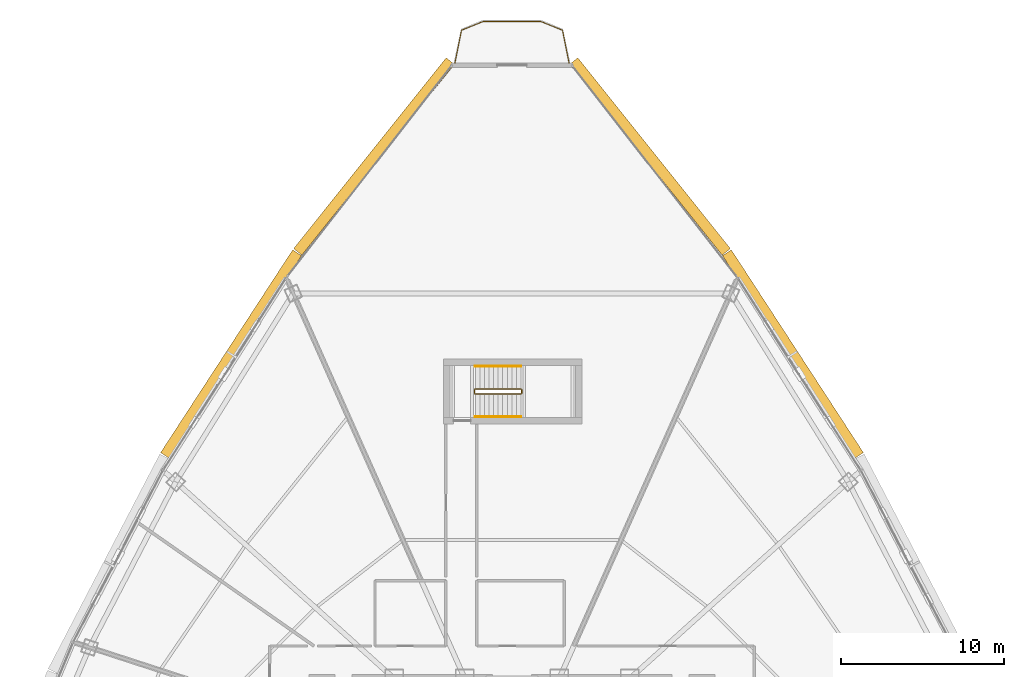
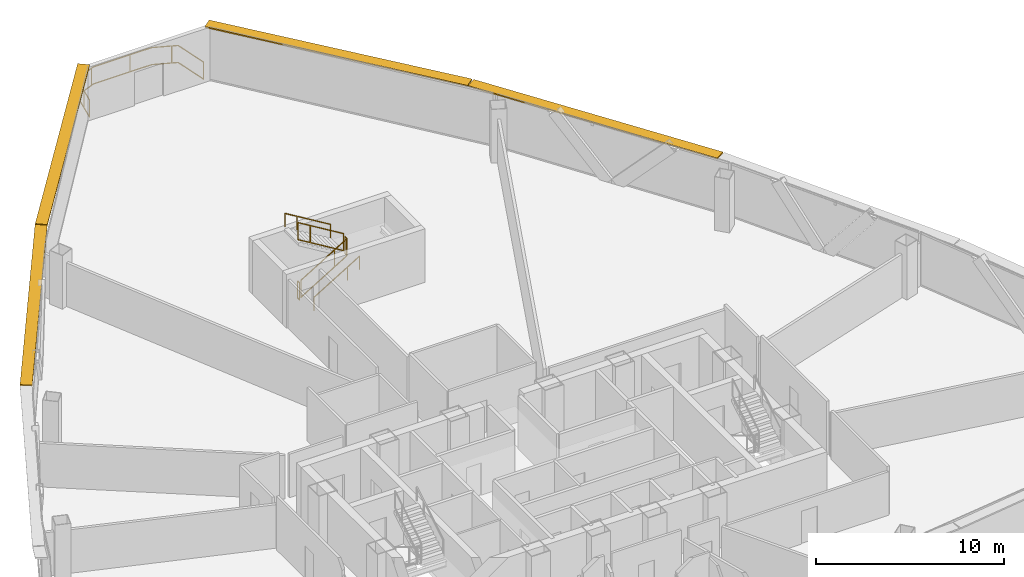
# One storey, part 35 of 36: 7 railings, 4 shading devices.
"""IFC4 building model written with IfcOpenShell, lengths in metres."""

from ifc_helpers import new_model, si_unit, direction, frame, origin, origin_2d, place, context, subcontext, project, spatial, rectangle, extrude, source, transform, mapped, material, layer, layer_set, type_object, element, save


model = new_model("IFC4")

# Units and contexts
model_context = context("Model", 3, precision=1e-05, world=origin(), true_north=direction((0.0, 1.0)))
body_context = subcontext(model_context, "Body", "Model", "MODEL_VIEW")
ifc_project = project(units=[si_unit("LENGTHUNIT", "METRE"), si_unit("AREAUNIT", "SQUARE_METRE"), si_unit("VOLUMEUNIT", "CUBIC_METRE"), si_unit("PLANEANGLEUNIT", "RADIAN"), si_unit("MASSUNIT", "GRAM", prefix="KILO"), si_unit("THERMODYNAMICTEMPERATUREUNIT", "KELVIN"), si_unit("POWERUNIT", "WATT")], contexts=[model_context])

# Site, building, storey
site_placement = place(None, origin())
site = spatial("IfcSite", under=ifc_project, at=site_placement, CompositionType="ELEMENT")
building_placement = place(site_placement, origin())
building = spatial("IfcBuilding", under=site, at=building_placement, Name="Yunzhuo Pagoda Commons", CompositionType="ELEMENT")
storey_placement = place(building_placement, frame((0.0, 0.0, 263.179931640625)))
storey = spatial("IfcBuildingStorey", under=building, at=storey_placement, Name="L66", CompositionType="ELEMENT", Elevation=263.179931640625)

# Railings
ifc_material = material(Name="Anodized aluminium 6063-T6", Category="aluminium")
railing_type_1 = type_object("IfcRailingType", Name="GR-ST3 North Well Guardrail 1155", PredefinedType="GUARDRAIL", material=ifc_material)
railing_1_placement = place(storey_placement, frame((45.75, 57.64990234375, 0.169677734375)))
element("IfcRailing", 1, at=railing_1_placement, inside=storey, type_object=railing_type_1, Name="L66 ST3 stair guard 1", PredefinedType="GUARDRAIL", context=body_context, shape_type="SweptSolid", body=[
    extrude(rectangle(XDim=0.048095703125, YDim=0.048095703125, at=origin_2d()), frame((0.0, 0.0, 1.1259765625), z_axis=(0.855426164822, 0.0, 0.517924778841), x_axis=(0.0, 1.0, 0.0)), (0.0, 0.0, 1.0), 3.273193359375),
    extrude(rectangle(XDim=0.048095703125, YDim=0.048095703125, at=origin_2d()), frame((0.0, 0.0, 0.02392578125), z_axis=(0.855426164822, 0.0, 0.517924778841), x_axis=(0.0, 1.0, 0.0)), (0.0, 0.0, 1.0), 3.273193359375),
    extrude(rectangle(XDim=0.0419921875, YDim=0.0419921875, at=origin_2d()), origin(), (0.0, 0.0, 1.0), 1.101806640625),
    extrude(rectangle(XDim=0.0419921875, YDim=0.0419921875, at=origin_2d()), frame((2.052978515625, 0.0, 1.242919921875)), (0.0, 0.0, 1.0), 1.101806640625),
    extrude(rectangle(XDim=0.0419921875, YDim=0.0419921875, at=origin_2d()), frame((2.800048828125, 0.0, 1.6953125)), (0.0, 0.0, 1.0), 1.101806640625),
])
railing_2_placement = place(storey_placement, frame((48.60009765625, 57.699951171875, 1.864990234375)))
element("IfcRailing", 2, at=railing_2_placement, inside=storey, type_object=railing_type_1, Name="L66 ST3 stair guard 2", PredefinedType="GUARDRAIL", context=body_context, shape_type="SweptSolid", body=[
    extrude(rectangle(XDim=0.048095703125, YDim=0.048095703125, at=origin_2d()), frame((0.0, 0.0, 1.1259765625), z_axis=(0.0, 1.0, 0.0), x_axis=(-1.0, 0.0, 0.0)), (0.0, 0.0, 1.0), 0.199951171875),
    extrude(rectangle(XDim=0.048095703125, YDim=0.048095703125, at=origin_2d()), frame((0.0, 0.0, 0.02392578125), z_axis=(0.0, 1.0, 0.0), x_axis=(-1.0, 0.0, 0.0)), (0.0, 0.0, 1.0), 0.199951171875),
    extrude(rectangle(XDim=0.0419921875, YDim=0.0419921875, at=origin_2d()), origin(), (0.0, 0.0, 1.0), 1.101806640625),
    extrude(rectangle(XDim=0.0419921875, YDim=0.0419921875, at=origin_2d()), frame((0.0, 0.199951171875, 0.0)), (0.0, 0.0, 1.0), 1.101806640625),
])
railing_3_placement = place(storey_placement, frame((48.550048828125, 57.949951171875, 2.03466796875)))
element("IfcRailing", 3, at=railing_3_placement, inside=storey, type_object=railing_type_1, Name="L66 ST3 stair guard 3", PredefinedType="GUARDRAIL", context=body_context, shape_type="SweptSolid", body=[
    extrude(rectangle(XDim=0.048095703125, YDim=0.048095703125, at=origin_2d()), frame((0.0, 0.0, 1.1259765625), z_axis=(-0.855426164822, 0.0, 0.517924778841), x_axis=(0.0, -1.0, 0.0)), (0.0, 0.0, 1.0), 3.273193359375),
    extrude(rectangle(XDim=0.048095703125, YDim=0.048095703125, at=origin_2d()), frame((0.0, 0.0, 0.02392578125), z_axis=(-0.855426164822, 0.0, 0.517924778841), x_axis=(0.0, -1.0, 0.0)), (0.0, 0.0, 1.0), 3.273193359375),
    extrude(rectangle(XDim=0.0419921875, YDim=0.0419921875, at=origin_2d()), origin(), (0.0, 0.0, 1.0), 1.101806640625),
    extrude(rectangle(XDim=0.0419921875, YDim=0.0419921875, at=origin_2d()), frame((-2.052978515625, 0.0, 1.242919921875)), (0.0, 0.0, 1.0), 1.101806640625),
    extrude(rectangle(XDim=0.0419921875, YDim=0.0419921875, at=origin_2d()), frame((-2.800048828125, 0.0, 1.6953125)), (0.0, 0.0, 1.0), 1.101806640625),
])
railing_4_placement = place(storey_placement, frame((45.699951171875, 57.699951171875, 0.0)))
element("IfcRailing", 4, at=railing_4_placement, inside=storey, type_object=railing_type_1, Name="L66 ST3 stair guard 4", PredefinedType="GUARDRAIL", context=body_context, shape_type="SweptSolid", body=[
    extrude(rectangle(XDim=0.048095703125, YDim=0.048095703125, at=origin_2d()), frame((0.0, 0.0, 1.1259765625), z_axis=(0.0, 1.0, 0.0), x_axis=(-1.0, 0.0, 0.0)), (0.0, 0.0, 1.0), 0.199951171875),
    extrude(rectangle(XDim=0.048095703125, YDim=0.048095703125, at=origin_2d()), frame((0.0, 0.0, 0.02392578125), z_axis=(0.0, 1.0, 0.0), x_axis=(-1.0, 0.0, 0.0)), (0.0, 0.0, 1.0), 0.199951171875),
    extrude(rectangle(XDim=0.0419921875, YDim=0.0419921875, at=origin_2d()), origin(), (0.0, 0.0, 1.0), 1.101806640625),
    extrude(rectangle(XDim=0.0419921875, YDim=0.0419921875, at=origin_2d()), frame((0.0, 0.199951171875, 0.0)), (0.0, 0.0, 1.0), 1.101806640625),
])
railing_type_2 = type_object("IfcRailingType", Name="HR-ST3 North Stair Handrail 900", PredefinedType="HANDRAIL", material=ifc_material)
railing_5_placement = place(storey_placement, frame((45.75, 56.25, 0.169677734375)))
element("IfcRailing", 5, at=railing_5_placement, inside=storey, type_object=railing_type_2, Name="L66 ST3 stair handrail 1", PredefinedType="HANDRAIL", context=body_context, shape_type="SweptSolid", body=[
    extrude(rectangle(XDim=0.048095703125, YDim=0.048095703125, at=origin_2d()), frame((0.0, 0.0, 0.8759765625), z_axis=(0.855426164822, 0.0, 0.517924778841), x_axis=(0.0, 1.0, 0.0)), (0.0, 0.0, 1.0), 3.273193359375),
    extrude(rectangle(XDim=0.0419921875, YDim=0.0419921875, at=origin_2d()), origin(), (0.0, 0.0, 1.0), 0.851806640625),
    extrude(rectangle(XDim=0.0419921875, YDim=0.0419921875, at=origin_2d()), frame((2.052978515625, 0.0, 1.242919921875)), (0.0, 0.0, 1.0), 0.851806640625),
    extrude(rectangle(XDim=0.0419921875, YDim=0.0419921875, at=origin_2d()), frame((2.800048828125, 0.0, 1.6953125)), (0.0, 0.0, 1.0), 0.851806640625),
])
railing_6_placement = place(storey_placement, frame((48.550048828125, 59.35009765625, 2.03466796875)))
element("IfcRailing", 6, at=railing_6_placement, inside=storey, type_object=railing_type_2, Name="L66 ST3 stair handrail 2", PredefinedType="HANDRAIL", context=body_context, shape_type="SweptSolid", body=[
    extrude(rectangle(XDim=0.048095703125, YDim=0.048095703125, at=origin_2d()), frame((0.0, 0.0, 0.8759765625), z_axis=(-0.855426164822, 0.0, 0.517924778841), x_axis=(0.0, -1.0, 0.0)), (0.0, 0.0, 1.0), 3.273193359375),
    extrude(rectangle(XDim=0.0419921875, YDim=0.0419921875, at=origin_2d()), origin(), (0.0, 0.0, 1.0), 0.851806640625),
    extrude(rectangle(XDim=0.0419921875, YDim=0.0419921875, at=origin_2d()), frame((-2.052978515625, 0.0, 1.242919921875)), (0.0, 0.0, 1.0), 0.851806640625),
    extrude(rectangle(XDim=0.0419921875, YDim=0.0419921875, at=origin_2d()), frame((-2.800048828125, 0.0, 1.6953125)), (0.0, 0.0, 1.0), 0.851806640625),
])
railing_type_3 = type_object("IfcRailingType", Name="RL-BAL1 Exterior Terrace & Balcony Balustrade 1150", PredefinedType="BALUSTRADE", material=ifc_material)
railing_7_placement = place(storey_placement, frame((51.499267578125, 77.925048828125, 0.0)))
element("IfcRailing", 7, at=railing_7_placement, inside=storey, type_object=railing_type_3, Name="L66 corner balcony balustrade V3", PredefinedType="BALUSTRADE", context=body_context, shape_type="SweptSolid", body=[
    extrude(rectangle(XDim=0.048095703125, YDim=0.048095703125, at=origin_2d()), frame((0.0, 0.0, 1.1259765625), z_axis=(-0.194200568098, 0.980961843983, 0.0), x_axis=(-0.980961843983, -0.194200568098, 0.0)), (0.0, 0.0, 1.0), 2.059326171875),
    extrude(rectangle(XDim=0.048095703125, YDim=0.048095703125, at=origin_2d()), frame((0.0, 0.0, 0.02392578125), z_axis=(-0.194200568098, 0.980961843983, 0.0), x_axis=(-0.980961843983, -0.194200568098, 0.0)), (0.0, 0.0, 1.0), 2.059326171875),
    extrude(rectangle(XDim=0.048095703125, YDim=0.048095703125, at=origin_2d()), frame((-0.39990234375, 2.02001953125, 1.1259765625), z_axis=(-0.926955398791, 0.375171545633, 0.0), x_axis=(-0.375171545633, -0.926955398791, 0.0)), (0.0, 0.0, 1.0), 1.412841796875),
    extrude(rectangle(XDim=0.048095703125, YDim=0.048095703125, at=origin_2d()), frame((-0.39990234375, 2.02001953125, 0.02392578125), z_axis=(-0.926955398791, 0.375171545633, 0.0), x_axis=(-0.375171545633, -0.926955398791, 0.0)), (0.0, 0.0, 1.0), 1.412841796875),
    extrude(rectangle(XDim=0.048095703125, YDim=0.048095703125, at=origin_2d()), frame((-1.70947265625, 2.550048828125, 1.1259765625), z_axis=(-1.0, 0.0, 0.0), x_axis=(0.0, -1.0, 0.0)), (0.0, 0.0, 1.0), 3.57958984375),
    extrude(rectangle(XDim=0.048095703125, YDim=0.048095703125, at=origin_2d()), frame((-1.70947265625, 2.550048828125, 0.02392578125), z_axis=(-1.0, 0.0, 0.0), x_axis=(0.0, -1.0, 0.0)), (0.0, 0.0, 1.0), 3.57958984375),
    extrude(rectangle(XDim=0.048095703125, YDim=0.048095703125, at=origin_2d()), frame((-5.2890625, 2.550048828125, 1.1259765625), z_axis=(-0.926955398791, -0.375171545633, 0.0), x_axis=(0.375171545633, -0.926955398791, 0.0)), (0.0, 0.0, 1.0), 1.412841796875),
    extrude(rectangle(XDim=0.048095703125, YDim=0.048095703125, at=origin_2d()), frame((-5.2890625, 2.550048828125, 0.02392578125), z_axis=(-0.926955398791, -0.375171545633, 0.0), x_axis=(0.375171545633, -0.926955398791, 0.0)), (0.0, 0.0, 1.0), 1.412841796875),
    extrude(rectangle(XDim=0.048095703125, YDim=0.048095703125, at=origin_2d()), frame((-6.5986328125, 2.02001953125, 1.1259765625), z_axis=(-0.194200568098, -0.980961843983, 0.0), x_axis=(0.980961843983, -0.194200568098, 0.0)), (0.0, 0.0, 1.0), 2.059326171875),
    extrude(rectangle(XDim=0.048095703125, YDim=0.048095703125, at=origin_2d()), frame((-6.5986328125, 2.02001953125, 0.02392578125), z_axis=(-0.194200568098, -0.980961843983, 0.0), x_axis=(0.980961843983, -0.194200568098, 0.0)), (0.0, 0.0, 1.0), 2.059326171875),
    extrude(rectangle(XDim=0.0419921875, YDim=0.0419921875, at=origin_2d()), origin(), (0.0, 0.0, 1.0), 1.101806640625),
    extrude(rectangle(XDim=0.0419921875, YDim=0.0419921875, at=origin_2d()), frame((-0.7158203125, 2.14794921875, 0.0)), (0.0, 0.0, 1.0), 1.101806640625),
    extrude(rectangle(XDim=0.0419921875, YDim=0.0419921875, at=origin_2d()), frame((-3.03759765625, 2.550048828125, 0.0)), (0.0, 0.0, 1.0), 1.101806640625),
    extrude(rectangle(XDim=0.0419921875, YDim=0.0419921875, at=origin_2d()), frame((-5.4267578125, 2.494384765625, 0.0)), (0.0, 0.0, 1.0), 1.101806640625),
    extrude(rectangle(XDim=0.0419921875, YDim=0.0419921875, at=origin_2d()), frame((-6.819091796875, 0.906005859375, 0.0)), (0.0, 0.0, 1.0), 1.101806640625),
    extrude(rectangle(XDim=0.0419921875, YDim=0.0419921875, at=origin_2d()), frame((-6.99853515625, 0.0, 0.0)), (0.0, 0.0, 1.0), 1.101806640625),
])

# Shading devices
ifc_layer = layer(ifc_material, 0.080078125)
ifc_layer_set = layer_set([ifc_layer], Name="Anodized aluminium 6063-T6")
shading_device_type = type_object("IfcShadingDeviceType", Name="SH-SUN1 Pagoda Horizontal Sunshade Eave 650", PredefinedType="USERDEFINED", material=ifc_layer_set)
shared_shape_1 = source(origin(), body_context, "Body", "SweptSolid", [
    extrude(rectangle(XDim=14.98095703125, YDim=0.64990234375, at=origin_2d()), origin(), (0.0, 0.0, 1.0), 0.080078125),
])
for number, where, z_axis, x_axis, name in (
    (8, (56.457275390625, 72.208984375, 3.39013671875), (0.0, 0.0, 1.0), (-0.624520471688, 0.781008438138, 0.0), "L66 horizontal pagoda sunshade eave F2.4"),
    (9, (39.542724609375, 72.208984375, 3.39013671875), (0.0, 0.0, 1.0), (-0.624520471688, -0.781008438138, 0.0), "L66 horizontal pagoda sunshade eave F3.1"),
):
    element("IfcShadingDevice", number, at=place(storey_placement, frame(where, z_axis=z_axis, x_axis=x_axis)), inside=storey, type_object=shading_device_type, Name=name, ObjectType="SUNSHADE", PredefinedType="USERDEFINED", context=body_context, shape_type="MappedRepresentation", body=[
        mapped(shared_shape_1, transform((0.0, 0.0, 0.0), scale=1.0)),
    ])
shared_shape_2 = source(origin(), body_context, "Body", "SweptSolid", [
    extrude(rectangle(XDim=14.838623046875, YDim=0.64990234375, at=origin_2d()), origin(), (0.0, 0.0, 1.0), 0.080078125),
])
for number, where, z_axis, x_axis, name in (
    (10, (65.221923828125, 60.09130859375, 3.39013671875), (0.0, 0.0, 1.0), (-0.545838756973, 0.837890238269, 0.0), "L66 horizontal pagoda sunshade eave F2.3"),
    (11, (30.778076171875, 60.09130859375, 3.39013671875), (0.0, 0.0, 1.0), (-0.545838756973, -0.837890238269, 0.0), "L66 horizontal pagoda sunshade eave F3.2"),
):
    element("IfcShadingDevice", number, at=place(storey_placement, frame(where, z_axis=z_axis, x_axis=x_axis)), inside=storey, type_object=shading_device_type, Name=name, ObjectType="SUNSHADE", PredefinedType="USERDEFINED", context=body_context, shape_type="MappedRepresentation", body=[
        mapped(shared_shape_2, transform((0.0, 0.0, 0.0), scale=1.0)),
    ])

save(model, "model.ifc")
